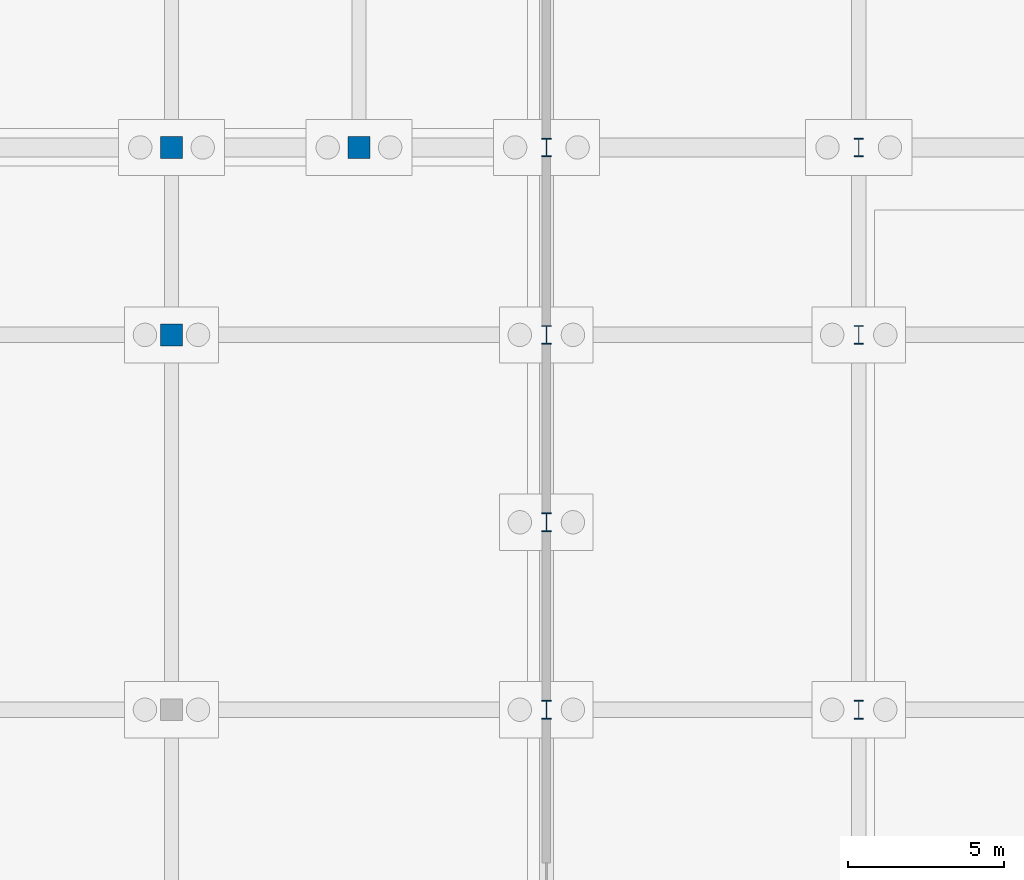
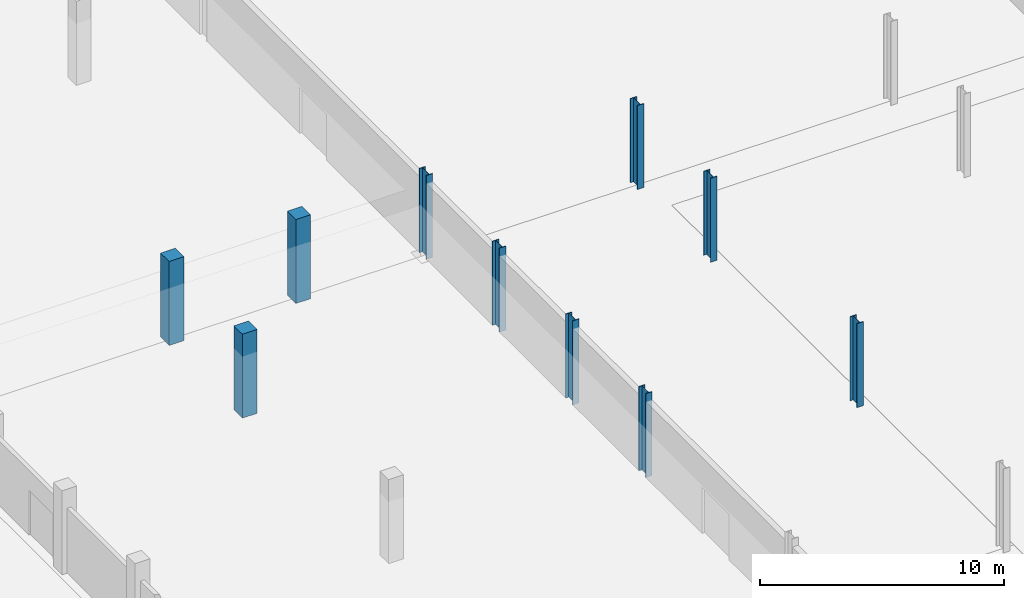
# One storey, part 18 of 77: 10 columns.
"""IFC4 building model written with IfcOpenShell, lengths in metres."""

import ifcopenshell
import ifcopenshell.guid

model = None  # the IFC model being written
_history = None  # IfcOwnerHistory: only IFC2X3 demands one
_inside = {}  # id of a spatial element -> (the spatial element, [elements in it])
_under = {}  # id of a project, library or spatial element -> (it, [spatial elements below it])
_declared = {}  # id of a project -> (the project, [libraries it declares])
_typed = {}  # id of a type object -> (the type object, [elements of that type])
_made_of = {}  # id of a material, layer set ... -> (it, [elements and type objects made of it])


def new_model(schema):
    """Start an empty IFC model of exactly this schema.

    Asked for "IFC4X3", IfcOpenShell would pick the latest addendum, in which some entities
    have other attributes; the version numbers below select the first issue.
    IFC2X3 requires an IfcOwnerHistory on every rooted entity: one is made here for all.
    """
    global model, _history
    if schema == "IFC4X3":
        model = ifcopenshell.file(schema_version=(4, 3, 0, 0))
    else:
        model = ifcopenshell.file(schema=schema)
    _inside.clear()
    _under.clear()
    _declared.clear()
    _typed.clear()
    _made_of.clear()
    _history = None
    if model.schema == "IFC2X3":
        org = make("IfcOrganization", Name="unknown")
        user = make(
            "IfcPersonAndOrganization",
            ThePerson=make("IfcPerson", FamilyName="unknown"),
            TheOrganization=org,
        )
        app = make(
            "IfcApplication",
            ApplicationDeveloper=org,
            Version="unknown",
            ApplicationFullName="unknown",
            ApplicationIdentifier="unknown",
        )
        _history = make(
            "IfcOwnerHistory",
            OwningUser=user,
            OwningApplication=app,
            ChangeAction="ADDED",
            CreationDate=0,
        )
    return model


def make(cls, **values):
    """One entity of the class cls with the attributes given. An attribute that is None is left unset."""
    return model.create_entity(
        cls, **{name: value for name, value in values.items() if value is not None}
    )


def rooted(cls, **values):
    """An entity with a GlobalId (a new one), such as an element, a storey or a relation."""
    return make(cls, GlobalId=ifcopenshell.guid.new(), OwnerHistory=_history, **values)


def si_unit(unit_type, name, prefix=None):
    """IfcSIUnit, for example si_unit("LENGTHUNIT", "METRE", prefix="MILLI")."""
    return make("IfcSIUnit", UnitType=unit_type, Prefix=prefix, Name=name)


def assignment(units):
    """IfcUnitAssignment: the units of a project."""
    return None if units is None else make("IfcUnitAssignment", Units=units)


def point(xyz):
    """IfcCartesianPoint."""
    return None if xyz is None else make("IfcCartesianPoint", Coordinates=xyz)


def direction(xyz):
    """IfcDirection."""
    return None if xyz is None else make("IfcDirection", DirectionRatios=xyz)


def frame(location, z_axis=None, x_axis=None):
    """IfcAxis2Placement3D, a coordinate frame: its origin and axes. An axis left out is left unset."""
    return make(
        "IfcAxis2Placement3D",
        Location=point(location),
        Axis=direction(z_axis),
        RefDirection=direction(x_axis),
    )


def frame_2d(location, x_axis=None):
    """IfcAxis2Placement2D, a coordinate frame in the plane: its origin and x axis."""
    return make(
        "IfcAxis2Placement2D", Location=point(location), RefDirection=direction(x_axis)
    )


def origin():
    """The frame at (0, 0, 0) with its axes left unset."""
    return frame((0.0, 0.0, 0.0))


def origin_2d():
    """The frame at (0, 0) in the plane with its x axis left unset."""
    return frame_2d((0.0, 0.0))


def place(relative_to, where):
    """IfcLocalPlacement: puts the frame where relative to a parent placement (None: the world)."""
    return make(
        "IfcLocalPlacement", PlacementRelTo=relative_to, RelativePlacement=where
    )


def context(
    kind, dimensions, precision=None, world=None, true_north=None, identifier=None
):
    """IfcGeometricRepresentationContext, for example the 3D "Model" context."""
    return make(
        "IfcGeometricRepresentationContext",
        ContextIdentifier=identifier,
        ContextType=kind,
        CoordinateSpaceDimension=dimensions,
        Precision=precision,
        WorldCoordinateSystem=world,
        TrueNorth=true_north,
    )


def subcontext(parent, identifier, kind, view, scale=None):
    """IfcGeometricRepresentationSubContext, for example "Body" below "Model"."""
    return make(
        "IfcGeometricRepresentationSubContext",
        ContextIdentifier=identifier,
        ContextType=kind,
        ParentContext=parent,
        TargetScale=scale,
        TargetView=view,
    )


def project(units=None, contexts=None):
    """IfcProject with its units and contexts."""
    return rooted(
        "IfcProject",
        Name="project",
        RepresentationContexts=contexts,
        UnitsInContext=assignment(units),
    )


def spatial(cls, under=None, at=None, **own):
    """A site, building, storey or space (cls), placed at a placement, below another one or the project."""
    s = rooted(cls, ObjectPlacement=at, **own)
    if under is not None:
        _under.setdefault(under.id(), (under, []))[1].append(s)
    return s


def profile(cls, at=None, kind="AREA", **sizes):
    """A parametric profile (cls). Its sizes go by their IFC names, for example OverallWidth=200.0."""
    return make(cls, ProfileType=kind, Position=at, **sizes)


def rectangle(**sizes):
    """IfcRectangleProfileDef."""
    return profile("IfcRectangleProfileDef", **sizes)


def i_section(**sizes):
    """IfcIShapeProfileDef."""
    return profile("IfcIShapeProfileDef", **sizes)


def extrude(swept, where, along, depth):
    """IfcExtrudedAreaSolid: the profile swept, set in the frame where, extruded along a direction by depth."""
    return make(
        "IfcExtrudedAreaSolid",
        SweptArea=swept,
        Position=where,
        ExtrudedDirection=direction(along),
        Depth=depth,
    )


def shape(context_of_items, identifier, shape_type, items):
    """IfcShapeRepresentation: the items that make up one representation, for example the "Body"."""
    return make(
        "IfcShapeRepresentation",
        ContextOfItems=context_of_items,
        RepresentationIdentifier=identifier,
        RepresentationType=shape_type,
        Items=items,
    )


def material(Name=None, Category=None):
    """IfcMaterial."""
    return make("IfcMaterial", Name=Name, Category=Category)


def material_profile(
    of_material, cross_section, Name=None, Category=None, Priority=None
):
    """IfcMaterialProfile: a cross section and its material."""
    return make(
        "IfcMaterialProfile",
        Name=Name,
        Material=of_material,
        Profile=cross_section,
        Priority=Priority,
        Category=Category,
    )


def profile_set(profiles, Name=None, composite=None):
    """IfcMaterialProfileSet."""
    return make(
        "IfcMaterialProfileSet",
        Name=Name,
        MaterialProfiles=profiles,
        CompositeProfile=composite,
    )


def made_of(thing, what):
    """Note that an element or type object is made of a material, layer set ...; save() writes the relation."""
    if what is not None:
        _made_of.setdefault(what.id(), (what, []))[1].append(thing)
    return thing


def type_object(cls, material=None, **own):
    """A type object (cls), such as IfcWallType, which elements share."""
    return made_of(rooted(cls, **own), material)


def element(
    cls,
    number,
    at=None,
    inside=None,
    cuts=None,
    type_object=None,
    material=None,
    context=None,
    identifier="Body",
    shape_type=None,
    held_by="IfcProductDefinitionShape",
    body=None,
    shapes=None,
    **own,
):
    """One element of the class cls, such as IfcWall. Its Tag is "e" and its number.

    at: its placement. inside: the storey or other place that contains it. cuts: it is an
    opening in that element (IfcRelVoidsElement). A single representation is given by context,
    identifier, shape_type and body (its items); several are given by shapes. held_by: the class
    of the entity that holds the representations. save() writes the other relations.
    """
    e = rooted(cls, Tag="e%d" % number, ObjectPlacement=at, **own)
    if body is not None:
        shapes = [shape(context, identifier, shape_type, body)]
    if shapes is not None:
        e.Representation = make(held_by, Representations=shapes)
    if inside is not None:
        _inside.setdefault(inside.id(), (inside, []))[1].append(e)
    if cuts is not None:
        rooted(
            "IfcRelVoidsElement", RelatingBuildingElement=cuts, RelatedOpeningElement=e
        )
    if type_object is not None:
        _typed.setdefault(type_object.id(), (type_object, []))[1].append(e)
    return made_of(e, material)


def aggregate(whole, parts):
    """IfcRelAggregates: a whole, such as a stair, and the parts it consists of."""
    return rooted("IfcRelAggregates", RelatingObject=whole, RelatedObjects=parts)


def save(model, path):
    """Write the relations noted so far, then the file.

    IfcRelAggregates (storeys below a building ...), IfcRelContainedInSpatialStructure (elements
    in a storey), IfcRelDefinesByType, IfcRelAssociatesMaterial and IfcRelDeclares: one each for
    every whole, place, type object, material and project.
    """
    for whole, parts in _under.values():
        aggregate(whole, parts)
    for where, things in _inside.values():
        rooted(
            "IfcRelContainedInSpatialStructure",
            RelatedElements=things,
            RelatingStructure=where,
        )
    for kind, things in _typed.values():
        rooted("IfcRelDefinesByType", RelatedObjects=things, RelatingType=kind)
    for what, things in _made_of.values():
        rooted("IfcRelAssociatesMaterial", RelatedObjects=things, RelatingMaterial=what)
    for by, libraries in _declared.values():
        rooted("IfcRelDeclares", RelatingContext=by, RelatedDefinitions=libraries)
    model.write(path)


model = new_model("IFC4")

# Units and contexts
model_context = context("Model", 3, precision=1e-05, world=origin(), true_north=direction((0.0, 1.0)))
body_context = subcontext(model_context, "Body", "Model", "MODEL_VIEW")
ifc_project = project(units=[si_unit("LENGTHUNIT", "METRE"), si_unit("AREAUNIT", "SQUARE_METRE"), si_unit("VOLUMEUNIT", "CUBIC_METRE"), si_unit("PLANEANGLEUNIT", "RADIAN"), si_unit("MASSUNIT", "GRAM", prefix="KILO")], contexts=[model_context])

# Site, building, storey
site_placement = place(None, origin())
site = spatial("IfcSite", under=ifc_project, at=site_placement, CompositionType="ELEMENT")
building_placement = place(site_placement, origin())
building = spatial("IfcBuilding", under=site, at=building_placement, Name="Zilviju Railside Exhibition Hall", CompositionType="ELEMENT")
storey_placement = place(building_placement, origin())
storey = spatial("IfcBuildingStorey", under=building, at=storey_placement, Name="L01", CompositionType="ELEMENT", Elevation=0.0)

# Columns
ifc_material_1 = material(Name="Concrete C35/45", Category="concrete")
ifc_material_profile_1 = material_profile(ifc_material_1, rectangle(XDim=0.699951171875, YDim=0.699951171875, at=origin_2d()), Name="RC COL 700x700")
ifc_profile_set_1 = profile_set([ifc_material_profile_1], Name="Concrete C35/45")
column_type_1 = type_object("IfcColumnType", Name="COL-RC-700", PredefinedType="COLUMN", material=ifc_profile_set_1)
for number, where, z_axis, x_axis, name in (
    (1, (36.0, 78.0, 0.0), (0.0, 0.0, 1.0), (1.0, 0.0, 0.0), "Structural Column L01 (36.0, 78.0)"),
    (2, (36.0, 84.0, 0.0), (0.0, 0.0, 1.0), (1.0, 0.0, 0.0), "Structural Column L01 (36.0, 84.0)"),
    (3, (42.0, 84.0, 0.0), (0.0, 0.0, 1.0), (1.0, 0.0, 0.0), "Structural Column L01 (42.0, 84.0)"),
):
    element("IfcColumn", number, at=place(storey_placement, frame(where, z_axis=z_axis, x_axis=x_axis)), inside=storey, type_object=column_type_1, Name=name, PredefinedType="COLUMN", context=body_context, shape_type="SweptSolid", body=[
        extrude(rectangle(XDim=0.699951171875, YDim=0.699951171875, at=origin_2d()), origin(), (0.0, 0.0, 1.0), 4.199951171875),
    ])
ifc_material_2 = material(Name="Steel S355J2", Category="steel")
ifc_material_profile_2 = material_profile(ifc_material_2, i_section(OverallWidth=0.300048828125, OverallDepth=0.60009765625, WebThickness=0.015380859375, FlangeThickness=0.030029296875, at=origin_2d()), Name="HEB 600")
ifc_profile_set_2 = profile_set([ifc_material_profile_2], Name="Steel S355J2")
column_type_2 = type_object("IfcColumnType", Name="COL-ST-HEB600", PredefinedType="COLUMN", material=ifc_profile_set_2)
for number, where, z_axis, x_axis, name in (
    (4, (48.0, 66.0, 0.0), (0.0, 0.0, 1.0), (1.0, 0.0, 0.0), "Structural Column L01 (48.0, 66.0)"),
    (5, (58.0, 66.0, 0.0), (0.0, 0.0, 1.0), (1.0, 0.0, 0.0), "Structural Column L01 (58.0, 66.0)"),
    (6, (48.0, 72.0, 0.0), (0.0, 0.0, 1.0), (1.0, 0.0, 0.0), "Structural Column L01 (48.0, 72.0)"),
    (7, (48.0, 78.0, 0.0), (0.0, 0.0, 1.0), (1.0, 0.0, 0.0), "Structural Column L01 (48.0, 78.0)"),
    (8, (58.0, 78.0, 0.0), (0.0, 0.0, 1.0), (1.0, 0.0, 0.0), "Structural Column L01 (58.0, 78.0)"),
    (9, (48.0, 84.0, 0.0), (0.0, 0.0, 1.0), (1.0, 0.0, 0.0), "Structural Column L01 (48.0, 84.0)"),
    (10, (58.0, 84.0, 0.0), (0.0, 0.0, 1.0), (1.0, 0.0, 0.0), "Structural Column L01 (58.0, 84.0)"),
):
    element("IfcColumn", number, at=place(storey_placement, frame(where, z_axis=z_axis, x_axis=x_axis)), inside=storey, type_object=column_type_2, Name=name, PredefinedType="COLUMN", context=body_context, shape_type="SweptSolid", body=[
        extrude(i_section(OverallWidth=0.300048828125, OverallDepth=0.60009765625, WebThickness=0.015380859375, FlangeThickness=0.030029296875, at=origin_2d()), origin(), (0.0, 0.0, 1.0), 4.199951171875),
    ])

save(model, "model.ifc")
